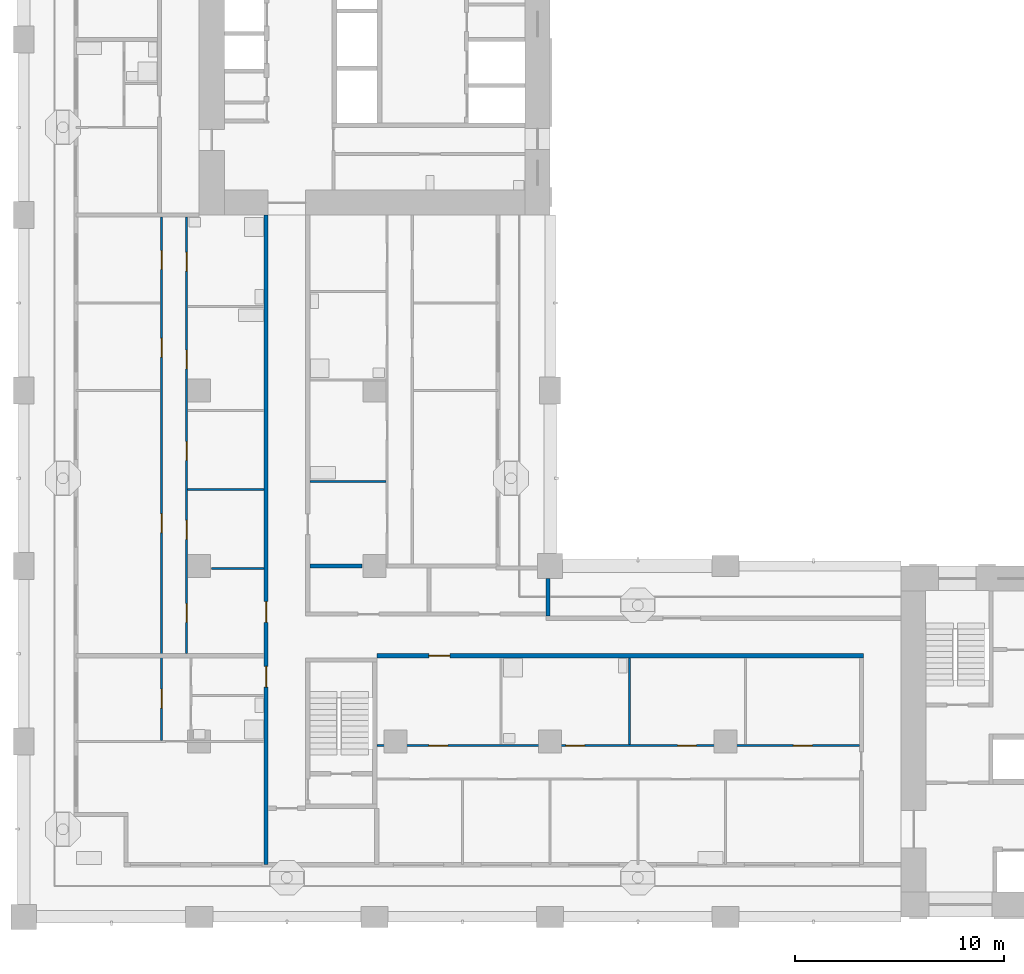
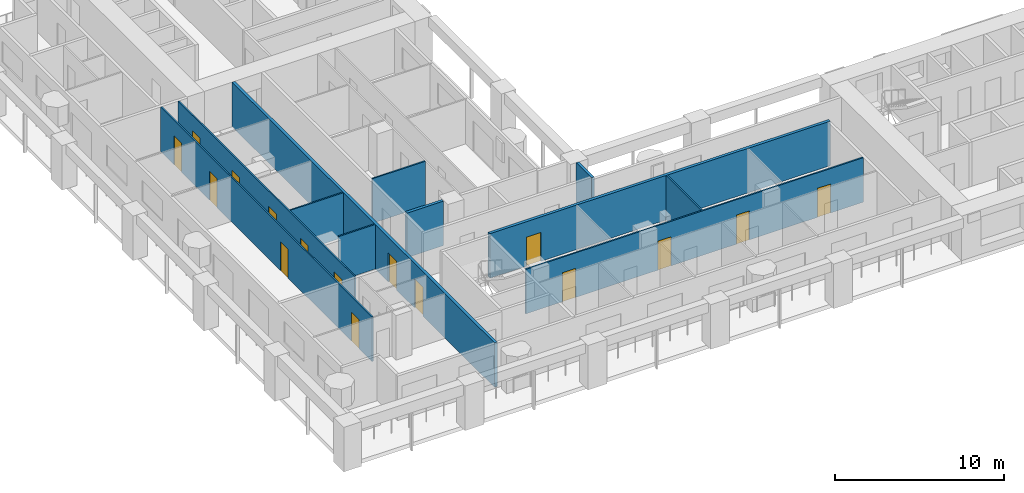
# One storey, part 3 of 18: 16 doors, 11 walls, 16 openings.
"""IFC4 building model written with IfcOpenShell, lengths in metres."""

from ifc_helpers import new_model, si_unit, direction, frame, frame_2d, origin, place, context, subcontext, project, spatial, rectangle, extrude, material, layer, layer_set, type_object, element, fill, save


model = new_model("IFC4")

# Units and contexts
model_context = context("Model", 3, precision=1e-05, world=origin(), true_north=direction((0.0, 1.0)))
body_context = subcontext(model_context, "Body", "Model", "MODEL_VIEW")
ifc_project = project(units=[si_unit("LENGTHUNIT", "METRE"), si_unit("AREAUNIT", "SQUARE_METRE"), si_unit("VOLUMEUNIT", "CUBIC_METRE"), si_unit("PLANEANGLEUNIT", "RADIAN"), si_unit("MASSUNIT", "GRAM", prefix="KILO")], contexts=[model_context])

# Site, building, storey
site_placement = place(None, origin())
site = spatial("IfcSite", under=ifc_project, at=site_placement, CompositionType="ELEMENT")
building_placement = place(site_placement, origin())
building = spatial("IfcBuilding", under=site, at=building_placement, Name="Vermilion Gate Residences", CompositionType="ELEMENT")
storey_placement = place(building_placement, frame((0.0, 0.0, 109.199951171875)))
storey = spatial("IfcBuildingStorey", under=building, at=storey_placement, Name="L27", CompositionType="ELEMENT", Elevation=109.199951171875)

# Wall
ifc_material_1 = material(Name="Insulated steel stud wall with terracotta rainscreen", Category="masonry")
ifc_layer_1 = layer(ifc_material_1, 0.199951171875)
ifc_layer_set_1 = layer_set([ifc_layer_1], Name="EXTERNAL WALL 200 TERRACOTTA RAINSCREEN")
wall_type_1 = type_object("IfcWallType", Name="EXTERNAL WALL 200 TERRACOTTA RAINSCREEN", PredefinedType="SOLIDWALL", material=ifc_layer_set_1)
wall_1_placement = place(storey_placement, frame((25.10009765625, 22.800048828125, 0.0), z_axis=(0.0, 0.0, 1.0), x_axis=(0.0, 1.0, 0.0)))
element("IfcWall", 1, at=wall_1_placement, inside=storey, type_object=wall_type_1, Name="External wall", PredefinedType="SOLIDWALL", context=body_context, shape_type="SweptSolid", body=[
    extrude(rectangle(XDim=1.800048828125, YDim=0.199951171875, at=frame_2d((0.89990234375, 0.0))), origin(), (0.0, 0.0, 1.0), 3.219970703125),
])

# Wall, openings, doors
ifc_material_2 = material(Name="Plasterboard on steel studs", Category="steel")
ifc_layer_2 = layer(ifc_material_2, 0.10009765625)
ifc_layer_set_2 = layer_set([ifc_layer_2], Name="PARTITION 100")
wall_type_2 = type_object("IfcWallType", Name="PARTITION 100", PredefinedType="PARTITIONING", material=ifc_layer_set_2)
wall_2_placement = place(storey_placement, frame((16.89990234375, 16.60009765625, 0.0), z_axis=(0.0, 0.0, 1.0), x_axis=(1.0, 0.0, 0.0)))
wall_2 = element("IfcWall", 2, at=wall_2_placement, inside=storey, type_object=wall_type_2, Name="Partition", PredefinedType="PARTITIONING", context=body_context, shape_type="SweptSolid", body=[
    extrude(rectangle(XDim=23.10009765625, YDim=0.10009765625, at=frame_2d((11.550048828125, 0.0))), origin(), (0.0, 0.0, 1.0), 3.219970703125),
])
opening_1_placement = place(wall_2_placement, frame((2.5, 0.0, 0.0)))
opening_1 = element("IfcOpeningElement", 3, at=opening_1_placement, cuts=wall_2, Name="Opening DA25007", PredefinedType="OPENING", context=body_context, shape_type="SweptSolid", body=[
    extrude(rectangle(XDim=0.89990234375, YDim=2.10009765625, at=frame_2d((0.449951171875, 1.050048828125))), frame((0.0, 0.06005859375, 0.0), z_axis=(0.0, -1.0, 0.0), x_axis=(1.0, 0.0, 0.0)), (0.0, 0.0, 1.0), 0.1201171875),
])
opening_2_placement = place(wall_2_placement, frame((9.050048828125, 0.0, 0.0)))
opening_2 = element("IfcOpeningElement", 4, at=opening_2_placement, cuts=wall_2, Name="Opening DA25008", PredefinedType="OPENING", context=body_context, shape_type="SweptSolid", body=[
    extrude(rectangle(XDim=0.89990234375, YDim=2.10009765625, at=frame_2d((0.449951171875, 1.050048828125))), frame((0.0, 0.06005859375, 0.0), z_axis=(0.0, -1.0, 0.0), x_axis=(1.0, 0.0, 0.0)), (0.0, 0.0, 1.0), 0.1201171875),
])
opening_3_placement = place(wall_2_placement, frame((14.39990234375, 0.0, 0.0)))
opening_3 = element("IfcOpeningElement", 5, at=opening_3_placement, cuts=wall_2, Name="Opening DA25009", PredefinedType="OPENING", context=body_context, shape_type="SweptSolid", body=[
    extrude(rectangle(XDim=0.89990234375, YDim=2.10009765625, at=frame_2d((0.449951171875, 1.050048828125))), frame((0.0, 0.06005859375, 0.0), z_axis=(0.0, -1.0, 0.0), x_axis=(1.0, 0.0, 0.0)), (0.0, 0.0, 1.0), 0.1201171875),
])
opening_4_placement = place(wall_2_placement, frame((19.949951171875, 0.0, 0.0)))
opening_4 = element("IfcOpeningElement", 6, at=opening_4_placement, cuts=wall_2, Name="Opening DA25010", PredefinedType="OPENING", context=body_context, shape_type="SweptSolid", body=[
    extrude(rectangle(XDim=0.89990234375, YDim=2.10009765625, at=frame_2d((0.449951171875, 1.050048828125))), frame((0.0, 0.06005859375, 0.0), z_axis=(0.0, -1.0, 0.0), x_axis=(1.0, 0.0, 0.0)), (0.0, 0.0, 1.0), 0.1201171875),
])
ifc_material_3 = material(Name="Timber", Category="wood")
door_type_1 = type_object("IfcDoorType", Name="INTERIOR DOOR 900 X 2100", OperationType="SINGLE_SWING_LEFT", PredefinedType="DOOR", material=ifc_material_3)
door_1_placement = place(opening_1_placement, origin())
door_1 = element("IfcDoor", 7, at=door_1_placement, inside=storey, type_object=door_type_1, Name="Interior door", OperationType="SINGLE_SWING_LEFT", OverallHeight=2.10009765625, OverallWidth=0.89990234375, PredefinedType="DOOR", context=body_context, shape_type="SweptSolid", body=[
    extrude(rectangle(XDim=0.89990234375, YDim=2.10009765625, at=frame_2d((0.449951171875, 1.050048828125))), frame((0.0, 0.02490234375, 0.0), z_axis=(0.0, -1.0, 0.0), x_axis=(1.0, 0.0, 0.0)), (0.0, 0.0, 1.0), 0.050048828125),
])
fill(opening_1, door_1)
door_2_placement = place(opening_2_placement, origin())
door_2 = element("IfcDoor", 8, at=door_2_placement, inside=storey, type_object=door_type_1, Name="Interior door", OperationType="SINGLE_SWING_LEFT", OverallHeight=2.10009765625, OverallWidth=0.89990234375, PredefinedType="DOOR", context=body_context, shape_type="SweptSolid", body=[
    extrude(rectangle(XDim=0.89990234375, YDim=2.10009765625, at=frame_2d((0.449951171875, 1.050048828125))), frame((0.0, 0.02490234375, 0.0), z_axis=(0.0, -1.0, 0.0), x_axis=(1.0, 0.0, 0.0)), (0.0, 0.0, 1.0), 0.050048828125),
])
fill(opening_2, door_2)
door_3_placement = place(opening_3_placement, origin())
door_3 = element("IfcDoor", 9, at=door_3_placement, inside=storey, type_object=door_type_1, Name="Interior door", OperationType="SINGLE_SWING_RIGHT", OverallHeight=2.10009765625, OverallWidth=0.89990234375, PredefinedType="DOOR", context=body_context, shape_type="SweptSolid", body=[
    extrude(rectangle(XDim=0.89990234375, YDim=2.10009765625, at=frame_2d((0.449951171875, 1.050048828125))), frame((0.0, 0.02490234375, 0.0), z_axis=(0.0, -1.0, 0.0), x_axis=(1.0, 0.0, 0.0)), (0.0, 0.0, 1.0), 0.050048828125),
])
fill(opening_3, door_3)
door_4_placement = place(opening_4_placement, origin())
door_4 = element("IfcDoor", 10, at=door_4_placement, inside=storey, type_object=door_type_1, Name="Interior door", OperationType="SINGLE_SWING_LEFT", OverallHeight=2.10009765625, OverallWidth=0.89990234375, PredefinedType="DOOR", context=body_context, shape_type="SweptSolid", body=[
    extrude(rectangle(XDim=0.89990234375, YDim=2.10009765625, at=frame_2d((0.449951171875, 1.050048828125))), frame((0.0, 0.02490234375, 0.0), z_axis=(0.0, -1.0, 0.0), x_axis=(1.0, 0.0, 0.0)), (0.0, 0.0, 1.0), 0.050048828125),
])
fill(opening_4, door_4)

# Walls
wall_3_placement = place(storey_placement, frame((9.0, 25.080078125, 0.0), z_axis=(0.0, 0.0, 1.0), x_axis=(1.0, 0.0, 0.0)))
element("IfcWall", 11, at=wall_3_placement, inside=storey, type_object=wall_type_2, Name="Partition", PredefinedType="PARTITIONING", context=body_context, shape_type="SweptSolid", body=[
    extrude(rectangle(XDim=2.5, YDim=0.10009765625, at=frame_2d((1.25, 0.0))), origin(), (0.0, 0.0, 1.0), 3.219970703125),
])
wall_4_placement = place(storey_placement, frame((7.85009765625, 28.860107421875, 0.0), z_axis=(0.0, 0.0, 1.0), x_axis=(1.0, 0.0, 0.0)))
element("IfcWall", 12, at=wall_4_placement, inside=storey, type_object=wall_type_2, Name="Partition", PredefinedType="PARTITIONING", context=body_context, shape_type="SweptSolid", body=[
    extrude(rectangle(XDim=3.64990234375, YDim=0.10009765625, at=frame_2d((1.824951171875, 0.0))), origin(), (0.0, 0.0, 1.0), 3.219970703125),
])
wall_5_placement = place(storey_placement, frame((13.699951171875, 29.25, 0.0), z_axis=(0.0, 0.0, 1.0), x_axis=(1.0, 0.0, 0.0)))
element("IfcWall", 13, at=wall_5_placement, inside=storey, type_object=wall_type_2, Name="Partition", PredefinedType="PARTITIONING", context=body_context, shape_type="SweptSolid", body=[
    extrude(rectangle(XDim=3.650146484375, YDim=0.10009765625, at=frame_2d((1.8251953125, 0.0))), origin(), (0.0, 0.0, 1.0), 3.219970703125),
])

# Wall, openings, doors
wall_6_placement = place(storey_placement, frame((6.60009765625, 16.85009765625, 0.0), z_axis=(0.0, 0.0, 1.0), x_axis=(0.0, 1.0, 0.0)))
wall_6 = element("IfcWall", 14, at=wall_6_placement, inside=storey, type_object=wall_type_2, Name="Partition", PredefinedType="PARTITIONING", context=body_context, shape_type="SweptSolid", body=[
    extrude(rectangle(XDim=25.0498046875, YDim=0.10009765625, at=frame_2d((12.52490234375, 0.0))), origin(), (0.0, 0.0, 1.0), 3.219970703125),
])
opening_5_placement = place(wall_6_placement, frame((1.550048828125, 0.0, 0.0)))
opening_5 = element("IfcOpeningElement", 15, at=opening_5_placement, cuts=wall_6, Name="Opening DA25020", PredefinedType="OPENING", context=body_context, shape_type="SweptSolid", body=[
    extrude(rectangle(XDim=0.89990234375, YDim=2.10009765625, at=frame_2d((0.449951171875, 1.050048828125))), frame((0.0, 0.06005859375, 0.0), z_axis=(0.0, -1.0, 0.0), x_axis=(1.0, 0.0, 0.0)), (0.0, 0.0, 1.0), 0.1201171875),
])
opening_6_placement = place(wall_6_placement, frame((9.949951171875, 0.0, 0.0)))
opening_6 = element("IfcOpeningElement", 16, at=opening_6_placement, cuts=wall_6, Name="Opening DA25021", PredefinedType="OPENING", context=body_context, shape_type="SweptSolid", body=[
    extrude(rectangle(XDim=0.89990234375, YDim=2.10009765625, at=frame_2d((0.449951171875, 1.050048828125))), frame((0.0, 0.06005859375, 0.0), z_axis=(0.0, -1.0, 0.0), x_axis=(1.0, 0.0, 0.0)), (0.0, 0.0, 1.0), 0.1201171875),
])
opening_7_placement = place(wall_6_placement, frame((18.35009765625, 0.0, 0.0)))
opening_7 = element("IfcOpeningElement", 17, at=opening_7_placement, cuts=wall_6, Name="Opening DA25022", PredefinedType="OPENING", context=body_context, shape_type="SweptSolid", body=[
    extrude(rectangle(XDim=0.89990234375, YDim=2.10009765625, at=frame_2d((0.449951171875, 1.050048828125))), frame((0.0, 0.06005859375, 0.0), z_axis=(0.0, -1.0, 0.0), x_axis=(1.0, 0.0, 0.0)), (0.0, 0.0, 1.0), 0.1201171875),
])
opening_8_placement = place(wall_6_placement, frame((22.550048828125, 0.0, 0.0)))
opening_8 = element("IfcOpeningElement", 18, at=opening_8_placement, cuts=wall_6, Name="Opening DA25023", PredefinedType="OPENING", context=body_context, shape_type="SweptSolid", body=[
    extrude(rectangle(XDim=0.89990234375, YDim=2.10009765625, at=frame_2d((0.449951171875, 1.050048828125))), frame((0.0, 0.06005859375, 0.0), z_axis=(0.0, -1.0, 0.0), x_axis=(1.0, 0.0, 0.0)), (0.0, 0.0, 1.0), 0.1201171875),
])
door_5_placement = place(opening_5_placement, origin())
door_5 = element("IfcDoor", 19, at=door_5_placement, inside=storey, type_object=door_type_1, Name="Interior door", OperationType="SINGLE_SWING_RIGHT", OverallHeight=2.10009765625, OverallWidth=0.89990234375, PredefinedType="DOOR", context=body_context, shape_type="SweptSolid", body=[
    extrude(rectangle(XDim=0.89990234375, YDim=2.10009765625, at=frame_2d((0.449951171875, 1.050048828125))), frame((0.0, 0.02490234375, 0.0), z_axis=(0.0, -1.0, 0.0), x_axis=(1.0, 0.0, 0.0)), (0.0, 0.0, 1.0), 0.050048828125),
])
fill(opening_5, door_5)
door_6_placement = place(opening_6_placement, origin())
door_6 = element("IfcDoor", 20, at=door_6_placement, inside=storey, type_object=door_type_1, Name="Interior door", OperationType="SINGLE_SWING_LEFT", OverallHeight=2.10009765625, OverallWidth=0.89990234375, PredefinedType="DOOR", context=body_context, shape_type="SweptSolid", body=[
    extrude(rectangle(XDim=0.89990234375, YDim=2.10009765625, at=frame_2d((0.449951171875, 1.050048828125))), frame((0.0, 0.02490234375, 0.0), z_axis=(0.0, -1.0, 0.0), x_axis=(1.0, 0.0, 0.0)), (0.0, 0.0, 1.0), 0.050048828125),
])
fill(opening_6, door_6)
door_7_placement = place(opening_7_placement, origin())
door_7 = element("IfcDoor", 21, at=door_7_placement, inside=storey, type_object=door_type_1, Name="Interior door", OperationType="SINGLE_SWING_LEFT", OverallHeight=2.10009765625, OverallWidth=0.89990234375, PredefinedType="DOOR", context=body_context, shape_type="SweptSolid", body=[
    extrude(rectangle(XDim=0.89990234375, YDim=2.10009765625, at=frame_2d((0.449951171875, 1.050048828125))), frame((0.0, 0.02490234375, 0.0), z_axis=(0.0, -1.0, 0.0), x_axis=(1.0, 0.0, 0.0)), (0.0, 0.0, 1.0), 0.050048828125),
])
fill(opening_7, door_7)
door_8_placement = place(opening_8_placement, origin())
door_8 = element("IfcDoor", 22, at=door_8_placement, inside=storey, type_object=door_type_1, Name="Interior door", OperationType="SINGLE_SWING_LEFT", OverallHeight=2.10009765625, OverallWidth=0.89990234375, PredefinedType="DOOR", context=body_context, shape_type="SweptSolid", body=[
    extrude(rectangle(XDim=0.89990234375, YDim=2.10009765625, at=frame_2d((0.449951171875, 1.050048828125))), frame((0.0, 0.02490234375, 0.0), z_axis=(0.0, -1.0, 0.0), x_axis=(1.0, 0.0, 0.0)), (0.0, 0.0, 1.0), 0.050048828125),
])
fill(opening_8, door_8)

wall_7_placement = place(storey_placement, frame((7.800048828125, 21.0, 0.0), z_axis=(0.0, 0.0, 1.0), x_axis=(0.0, 1.0, 0.0)))
wall_7 = element("IfcWall", 23, at=wall_7_placement, inside=storey, type_object=wall_type_2, Name="Partition", PredefinedType="PARTITIONING", context=body_context, shape_type="SweptSolid", body=[
    extrude(rectangle(XDim=20.89990234375, YDim=0.10009765625, at=frame_2d((10.449951171875, 0.0))), origin(), (0.0, 0.0, 1.0), 3.219970703125),
])
opening_9_placement = place(wall_7_placement, frame((1.5, 0.0, 0.0)))
opening_9 = element("IfcOpeningElement", 24, at=opening_9_placement, cuts=wall_7, Name="Opening DA25024", PredefinedType="OPENING", context=body_context, shape_type="SweptSolid", body=[
    extrude(rectangle(XDim=0.89990234375, YDim=2.10009765625, at=frame_2d((0.449951171875, 1.050048828125))), frame((0.0, 0.06005859375, 0.0), z_axis=(0.0, -1.0, 0.0), x_axis=(1.0, 0.0, 0.0)), (0.0, 0.0, 1.0), 0.1201171875),
])
opening_10_placement = place(wall_7_placement, frame((5.47998046875, 0.0, 0.0)))
opening_10 = element("IfcOpeningElement", 25, at=opening_10_placement, cuts=wall_7, Name="Opening DA25025", PredefinedType="OPENING", context=body_context, shape_type="SweptSolid", body=[
    extrude(rectangle(XDim=0.89990234375, YDim=2.10009765625, at=frame_2d((0.449951171875, 1.050048828125))), frame((0.0, 0.06005859375, 0.0), z_axis=(0.0, -1.0, 0.0), x_axis=(1.0, 0.0, 0.0)), (0.0, 0.0, 1.0), 0.1201171875),
])
opening_11_placement = place(wall_7_placement, frame((9.260009765625, 0.0, 0.0)))
opening_11 = element("IfcOpeningElement", 26, at=opening_11_placement, cuts=wall_7, Name="Opening DA25026", PredefinedType="OPENING", context=body_context, shape_type="SweptSolid", body=[
    extrude(rectangle(XDim=0.89990234375, YDim=2.10009765625, at=frame_2d((0.449951171875, 1.050048828125))), frame((0.0, 0.06005859375, 0.0), z_axis=(0.0, -1.0, 0.0), x_axis=(1.0, 0.0, 0.0)), (0.0, 0.0, 1.0), 0.1201171875),
])
opening_12_placement = place(wall_7_placement, frame((13.639892578125, 0.0, 0.0)))
opening_12 = element("IfcOpeningElement", 27, at=opening_12_placement, cuts=wall_7, Name="Opening DA25027", PredefinedType="OPENING", context=body_context, shape_type="SweptSolid", body=[
    extrude(rectangle(XDim=0.89990234375, YDim=2.10009765625, at=frame_2d((0.449951171875, 1.050048828125))), frame((0.0, 0.06005859375, 0.0), z_axis=(0.0, -1.0, 0.0), x_axis=(1.0, 0.0, 0.0)), (0.0, 0.0, 1.0), 0.1201171875),
])
opening_13_placement = place(wall_7_placement, frame((18.320068359375, 0.0, 0.0)))
opening_13 = element("IfcOpeningElement", 28, at=opening_13_placement, cuts=wall_7, Name="Opening DA25028", PredefinedType="OPENING", context=body_context, shape_type="SweptSolid", body=[
    extrude(rectangle(XDim=0.89990234375, YDim=2.10009765625, at=frame_2d((0.449951171875, 1.050048828125))), frame((0.0, 0.06005859375, 0.0), z_axis=(0.0, -1.0, 0.0), x_axis=(1.0, 0.0, 0.0)), (0.0, 0.0, 1.0), 0.1201171875),
])
door_9_placement = place(opening_9_placement, frame((0.89990234375, 0.0, 0.0), z_axis=(0.0, 0.0, 1.0), x_axis=(-1.0, 0.0, 0.0)))
door_9 = element("IfcDoor", 29, at=door_9_placement, inside=storey, type_object=door_type_1, Name="Interior door", OperationType="SINGLE_SWING_LEFT", OverallHeight=2.10009765625, OverallWidth=0.89990234375, PredefinedType="DOOR", context=body_context, shape_type="SweptSolid", body=[
    extrude(rectangle(XDim=0.89990234375, YDim=2.10009765625, at=frame_2d((0.449951171875, 1.050048828125))), frame((0.0, 0.02490234375, 0.0), z_axis=(0.0, -1.0, 0.0), x_axis=(1.0, 0.0, 0.0)), (0.0, 0.0, 1.0), 0.050048828125),
])
fill(opening_9, door_9)
door_10_placement = place(opening_10_placement, frame((0.89990234375, 0.0, 0.0), z_axis=(0.0, 0.0, 1.0), x_axis=(-1.0, 0.0, 0.0)))
door_10 = element("IfcDoor", 30, at=door_10_placement, inside=storey, type_object=door_type_1, Name="Interior door", OperationType="SINGLE_SWING_RIGHT", OverallHeight=2.10009765625, OverallWidth=0.89990234375, PredefinedType="DOOR", context=body_context, shape_type="SweptSolid", body=[
    extrude(rectangle(XDim=0.89990234375, YDim=2.10009765625, at=frame_2d((0.449951171875, 1.050048828125))), frame((0.0, 0.02490234375, 0.0), z_axis=(0.0, -1.0, 0.0), x_axis=(1.0, 0.0, 0.0)), (0.0, 0.0, 1.0), 0.050048828125),
])
fill(opening_10, door_10)
door_11_placement = place(opening_11_placement, frame((0.89990234375, 0.0, 0.0), z_axis=(0.0, 0.0, 1.0), x_axis=(-1.0, 0.0, 0.0)))
door_11 = element("IfcDoor", 31, at=door_11_placement, inside=storey, type_object=door_type_1, Name="Interior door", OperationType="SINGLE_SWING_RIGHT", OverallHeight=2.10009765625, OverallWidth=0.89990234375, PredefinedType="DOOR", context=body_context, shape_type="SweptSolid", body=[
    extrude(rectangle(XDim=0.89990234375, YDim=2.10009765625, at=frame_2d((0.449951171875, 1.050048828125))), frame((0.0, 0.02490234375, 0.0), z_axis=(0.0, -1.0, 0.0), x_axis=(1.0, 0.0, 0.0)), (0.0, 0.0, 1.0), 0.050048828125),
])
fill(opening_11, door_11)
door_12_placement = place(opening_12_placement, frame((0.89990234375, 0.0, 0.0), z_axis=(0.0, 0.0, 1.0), x_axis=(-1.0, 0.0, 0.0)))
door_12 = element("IfcDoor", 32, at=door_12_placement, inside=storey, type_object=door_type_1, Name="Interior door", OperationType="SINGLE_SWING_RIGHT", OverallHeight=2.10009765625, OverallWidth=0.89990234375, PredefinedType="DOOR", context=body_context, shape_type="SweptSolid", body=[
    extrude(rectangle(XDim=0.89990234375, YDim=2.10009765625, at=frame_2d((0.449951171875, 1.050048828125))), frame((0.0, 0.02490234375, 0.0), z_axis=(0.0, -1.0, 0.0), x_axis=(1.0, 0.0, 0.0)), (0.0, 0.0, 1.0), 0.050048828125),
])
fill(opening_12, door_12)
door_13_placement = place(opening_13_placement, frame((0.89990234375, 0.0, 0.0), z_axis=(0.0, 0.0, 1.0), x_axis=(-1.0, 0.0, 0.0)))
door_13 = element("IfcDoor", 33, at=door_13_placement, inside=storey, type_object=door_type_1, Name="Interior door", OperationType="SINGLE_SWING_LEFT", OverallHeight=2.10009765625, OverallWidth=0.89990234375, PredefinedType="DOOR", context=body_context, shape_type="SweptSolid", body=[
    extrude(rectangle(XDim=0.89990234375, YDim=2.10009765625, at=frame_2d((0.449951171875, 1.050048828125))), frame((0.0, 0.02490234375, 0.0), z_axis=(0.0, -1.0, 0.0), x_axis=(1.0, 0.0, 0.0)), (0.0, 0.0, 1.0), 0.050048828125),
])
fill(opening_13, door_13)

# Wall
wall_8_placement = place(storey_placement, frame((29.0, 16.64990234375, 0.0), z_axis=(0.0, 0.0, 1.0), x_axis=(0.0, 1.0, 0.0)))
element("IfcWall", 34, at=wall_8_placement, inside=storey, type_object=wall_type_2, Name="Partition", PredefinedType="PARTITIONING", context=body_context, shape_type="SweptSolid", body=[
    extrude(rectangle(XDim=4.150146484375, YDim=0.10009765625, at=frame_2d((2.0751953125, 0.0))), origin(), (0.0, 0.0, 1.0), 3.219970703125),
])

# Wall, opening, door
ifc_material_4 = material(Name="Fire-rated plasterboard on steel studs", Category="steel")
ifc_layer_3 = layer(ifc_material_4, 0.199951171875)
ifc_layer_set_3 = layer_set([ifc_layer_3], Name="PARTY WALL 200 EI 120")
wall_type_3 = type_object("IfcWallType", Name="PARTY WALL 200 EI 120", PredefinedType="PARTITIONING", material=ifc_layer_set_3)
wall_9_placement = place(storey_placement, frame((16.89990234375, 20.89990234375, 0.0), z_axis=(0.0, 0.0, 1.0), x_axis=(1.0, 0.0, 0.0)))
wall_9 = element("IfcWall", 35, at=wall_9_placement, inside=storey, type_object=wall_type_3, Name="Party and corridor wall", PredefinedType="PARTITIONING", context=body_context, shape_type="SweptSolid", body=[
    extrude(rectangle(XDim=23.300048828125, YDim=0.199951171875, at=frame_2d((11.64990234375, 0.0))), origin(), (0.0, 0.0, 1.0), 3.219970703125),
])
opening_14_placement = place(wall_9_placement, frame((2.5, 0.0, 0.0)))
opening_14 = element("IfcOpeningElement", 36, at=opening_14_placement, cuts=wall_9, Name="Opening DA25012", PredefinedType="OPENING", context=body_context, shape_type="SweptSolid", body=[
    extrude(rectangle(XDim=1.0, YDim=2.10009765625, at=frame_2d((0.5, 1.050048828125))), frame((0.0, 0.10986328125, 0.0), z_axis=(0.0, -1.0, 0.0), x_axis=(1.0, 0.0, 0.0)), (0.0, 0.0, 1.0), 0.219970703125),
])
ifc_material_5 = material(Name="Steel", Category="steel")
door_type_2 = type_object("IfcDoorType", Name="ENTRANCE DOOR 1000 X 2100 FD30", OperationType="SINGLE_SWING_LEFT", PredefinedType="DOOR", material=ifc_material_5)
door_14_placement = place(opening_14_placement, frame((1.0, 0.0, 0.0), z_axis=(0.0, 0.0, 1.0), x_axis=(-1.0, 0.0, 0.0)))
door_14 = element("IfcDoor", 37, at=door_14_placement, inside=storey, type_object=door_type_2, Name="Entrance door", OperationType="SINGLE_SWING_LEFT", OverallHeight=2.10009765625, OverallWidth=1.0, PredefinedType="DOOR", context=body_context, shape_type="SweptSolid", body=[
    extrude(rectangle(XDim=1.0, YDim=2.10009765625, at=frame_2d((0.5, 1.050048828125))), frame((0.0, 0.02490234375, 0.0), z_axis=(0.0, -1.0, 0.0), x_axis=(1.0, 0.0, 0.0)), (0.0, 0.0, 1.0), 0.050048828125),
])
fill(opening_14, door_14)

# Wall
wall_10_placement = place(storey_placement, frame((13.699951171875, 25.199951171875, 0.0), z_axis=(0.0, 0.0, 1.0), x_axis=(1.0, 0.0, 0.0)))
element("IfcWall", 38, at=wall_10_placement, inside=storey, type_object=wall_type_3, Name="Party and corridor wall", PredefinedType="PARTITIONING", context=body_context, shape_type="SweptSolid", body=[
    extrude(rectangle(XDim=2.5, YDim=0.199951171875, at=frame_2d((1.25, 0.0))), origin(), (0.0, 0.0, 1.0), 3.219970703125),
])

# Wall, openings, doors
wall_11_placement = place(storey_placement, frame((11.60009765625, 10.89990234375, 0.0), z_axis=(0.0, 0.0, 1.0), x_axis=(0.0, 1.0, 0.0)))
wall_11 = element("IfcWall", 39, at=wall_11_placement, inside=storey, type_object=wall_type_3, Name="Party and corridor wall", PredefinedType="PARTITIONING", context=body_context, shape_type="SweptSolid", body=[
    extrude(rectangle(XDim=31.10009765625, YDim=0.199951171875, at=frame_2d((15.550048828125, 0.0))), origin(), (0.0, 0.0, 1.0), 3.219970703125),
])
opening_15_placement = place(wall_11_placement, frame((8.5, 0.0, 0.0)))
opening_15 = element("IfcOpeningElement", 40, at=opening_15_placement, cuts=wall_11, Name="Opening DA25031", PredefinedType="OPENING", context=body_context, shape_type="SweptSolid", body=[
    extrude(rectangle(XDim=1.0, YDim=2.10009765625, at=frame_2d((0.5, 1.050048828125))), frame((0.0, 0.10986328125, 0.0), z_axis=(0.0, -1.0, 0.0), x_axis=(1.0, 0.0, 0.0)), (0.0, 0.0, 1.0), 0.219970703125),
])
opening_16_placement = place(wall_11_placement, frame((11.60009765625, 0.0, 0.0)))
opening_16 = element("IfcOpeningElement", 41, at=opening_16_placement, cuts=wall_11, Name="Opening DA25032", PredefinedType="OPENING", context=body_context, shape_type="SweptSolid", body=[
    extrude(rectangle(XDim=1.0, YDim=2.10009765625, at=frame_2d((0.5, 1.050048828125))), frame((0.0, 0.10986328125, 0.0), z_axis=(0.0, -1.0, 0.0), x_axis=(1.0, 0.0, 0.0)), (0.0, 0.0, 1.0), 0.219970703125),
])
door_15_placement = place(opening_15_placement, origin())
door_15 = element("IfcDoor", 42, at=door_15_placement, inside=storey, type_object=door_type_2, Name="Entrance door", OperationType="SINGLE_SWING_LEFT", OverallHeight=2.10009765625, OverallWidth=1.0, PredefinedType="DOOR", context=body_context, shape_type="SweptSolid", body=[
    extrude(rectangle(XDim=1.0, YDim=2.10009765625, at=frame_2d((0.5, 1.050048828125))), frame((0.0, 0.02490234375, 0.0), z_axis=(0.0, -1.0, 0.0), x_axis=(1.0, 0.0, 0.0)), (0.0, 0.0, 1.0), 0.050048828125),
])
fill(opening_15, door_15)
door_16_placement = place(opening_16_placement, origin())
door_16 = element("IfcDoor", 43, at=door_16_placement, inside=storey, type_object=door_type_2, Name="Entrance door", OperationType="SINGLE_SWING_LEFT", OverallHeight=2.10009765625, OverallWidth=1.0, PredefinedType="DOOR", context=body_context, shape_type="SweptSolid", body=[
    extrude(rectangle(XDim=1.0, YDim=2.10009765625, at=frame_2d((0.5, 1.050048828125))), frame((0.0, 0.02490234375, 0.0), z_axis=(0.0, -1.0, 0.0), x_axis=(1.0, 0.0, 0.0)), (0.0, 0.0, 1.0), 0.050048828125),
])
fill(opening_16, door_16)

save(model, "model.ifc")
